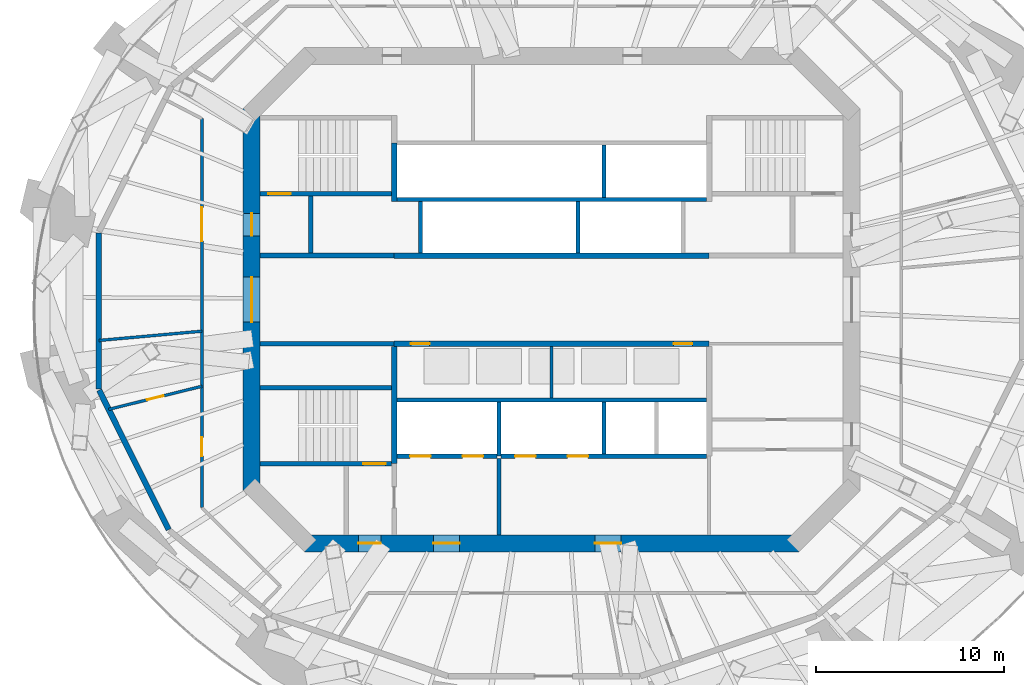
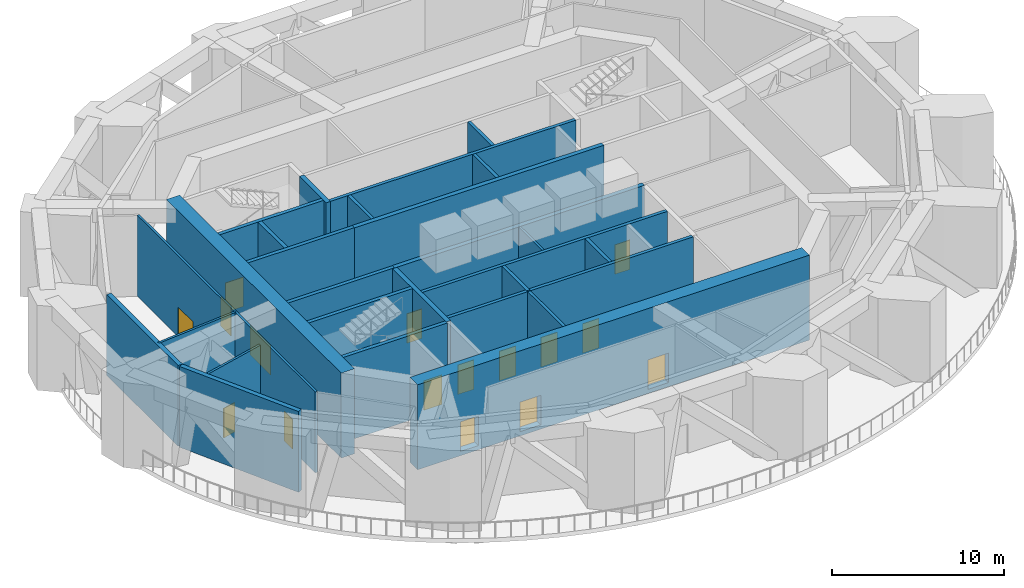
# One storey, part 5 of 11: 28 walls, 16 doors, 16 openings.
"""IFC4 building model written with IfcOpenShell, lengths in metres."""

from ifc_helpers import new_model, si_unit, direction, frame, frame_2d, origin, place, context, subcontext, project, spatial, rectangle, extrude, material, layer, layer_set, type_object, element, fill, save


model = new_model("IFC4")

# Units and contexts
model_context = context("Model", 3, precision=1e-05, world=origin(), true_north=direction((0.0, 1.0)))
body_context = subcontext(model_context, "Body", "Model", "MODEL_VIEW")
ifc_project = project(units=[si_unit("LENGTHUNIT", "METRE"), si_unit("AREAUNIT", "SQUARE_METRE"), si_unit("VOLUMEUNIT", "CUBIC_METRE"), si_unit("PLANEANGLEUNIT", "RADIAN"), si_unit("MASSUNIT", "GRAM", prefix="KILO")], contexts=[model_context])

# Site, building, storey
site_placement = place(None, origin())
site = spatial("IfcSite", under=ifc_project, at=site_placement, CompositionType="ELEMENT")
building_placement = place(site_placement, origin())
building = spatial("IfcBuilding", under=site, at=building_placement, Name="Marenthal Gate Tower", CompositionType="ELEMENT")
storey_placement = place(building_placement, frame((0.0, 0.0, 273.10009765625)))
storey = spatial("IfcBuildingStorey", under=building, at=storey_placement, Name="L61", CompositionType="ELEMENT", Elevation=273.10009765625)

# Wall, openings, doors
ifc_material_1 = material(Name="Concrete 60 MPa", Category="concrete")
ifc_layer_1 = layer(ifc_material_1, 0.89990234375)
ifc_layer_set_1 = layer_set([ifc_layer_1], Name="Core shear wall 900")
wall_type_1 = type_object("IfcWallType", Name="Core shear wall 900", PredefinedType="SHEAR", material=ifc_layer_set_1)
wall_1_placement = place(storey_placement, frame((-16.0, 10.186279296875, -0.300048828125), z_axis=(0.0, 0.0, 1.0), x_axis=(0.0, -1.0, 0.0)))
wall_1 = element("IfcWall", 1, at=wall_1_placement, inside=storey, type_object=wall_type_1, Name="Core wall 06", PredefinedType="SHEAR", context=body_context, shape_type="SweptSolid", body=[
    extrude(rectangle(XDim=20.37255859375, YDim=0.89990234375, at=frame_2d((10.186279296875, 0.0))), origin(), (0.0, 0.0, 1.0), 6.050048828125),
])
opening_1_placement = place(wall_1_placement, frame((8.986328125, 0.0, 0.300048828125)))
opening_1 = element("IfcOpeningElement", 2, at=opening_1_placement, cuts=wall_1, Name="Opening D003.01", PredefinedType="OPENING", context=body_context, shape_type="SweptSolid", body=[
    extrude(rectangle(XDim=2.39990234375, YDim=2.10009765625, at=frame_2d((1.199951171875, 1.050048828125))), frame((0.0, 0.4599609375, 0.0), z_axis=(0.0, -1.0, 0.0), x_axis=(1.0, 0.0, 0.0)), (0.0, 0.0, 1.0), 0.919921875),
])
opening_2_placement = place(wall_1_placement, frame((5.58642578125, 0.0, 0.300048828125)))
opening_2 = element("IfcOpeningElement", 3, at=opening_2_placement, cuts=wall_1, Name="Opening D001.04", PredefinedType="OPENING", context=body_context, shape_type="SweptSolid", body=[
    extrude(rectangle(XDim=1.199951171875, YDim=2.10009765625, at=frame_2d((0.60009765625, 1.050048828125))), frame((0.0, 0.4599609375, 0.0), z_axis=(0.0, -1.0, 0.0), x_axis=(1.0, 0.0, 0.0)), (0.0, 0.0, 1.0), 0.919921875),
])
ifc_material_2 = material(Name="Steel fire door", Category="steel")
door_type_1 = type_object("IfcDoorType", Name="Double fire door FD 45 2400 x 2100", OperationType="DOUBLE_DOOR_SINGLE_SWING", PredefinedType="DOOR", material=ifc_material_2)
door_1_placement = place(opening_1_placement, origin())
door_1 = element("IfcDoor", 4, at=door_1_placement, inside=storey, type_object=door_type_1, Name="Door D003.01", OperationType="DOUBLE_DOOR_SINGLE_SWING", OverallHeight=2.10009765625, OverallWidth=2.39990234375, PredefinedType="DOOR", context=body_context, shape_type="SweptSolid", body=[
    extrude(rectangle(XDim=2.39990234375, YDim=2.10009765625, at=frame_2d((1.199951171875, 1.050048828125))), frame((0.0, 0.02490234375, 0.0), z_axis=(0.0, -1.0, 0.0), x_axis=(1.0, 0.0, 0.0)), (0.0, 0.0, 1.0), 0.050048828125),
])
fill(opening_1, door_1)
ifc_material_3 = material(Name="Steel fire door", Category="steel")
door_type_2 = type_object("IfcDoorType", Name="Fire door FD 90 1200 x 2100", OperationType="NOTDEFINED", PredefinedType="DOOR", material=ifc_material_3)
door_2_placement = place(opening_2_placement, origin())
door_2 = element("IfcDoor", 5, at=door_2_placement, inside=storey, type_object=door_type_2, Name="Door D001.04", OperationType="SINGLE_SWING_RIGHT", OverallHeight=2.10009765625, OverallWidth=1.199951171875, PredefinedType="DOOR", context=body_context, shape_type="SweptSolid", body=[
    extrude(rectangle(XDim=1.199951171875, YDim=2.10009765625, at=frame_2d((0.60009765625, 1.050048828125))), frame((0.0, 0.02490234375, 0.0), z_axis=(0.0, -1.0, 0.0), x_axis=(1.0, 0.0, 0.0)), (0.0, 0.0, 1.0), 0.050048828125),
])
fill(opening_2, door_2)

wall_2_placement = place(storey_placement, frame((-13.186279296875, -13.0, -0.300048828125), z_axis=(0.0, 0.0, 1.0), x_axis=(1.0, 0.0, 0.0)))
wall_2 = element("IfcWall", 6, at=wall_2_placement, inside=storey, type_object=wall_type_1, Name="Core wall 08", PredefinedType="SHEAR", context=body_context, shape_type="SweptSolid", body=[
    extrude(rectangle(XDim=26.37255859375, YDim=0.89990234375, at=frame_2d((13.186279296875, 0.0))), origin(), (0.0, 0.0, 1.0), 6.050048828125),
])
opening_3_placement = place(wall_2_placement, frame((2.886474609375, 0.0, 0.300048828125)))
opening_3 = element("IfcOpeningElement", 7, at=opening_3_placement, cuts=wall_2, Name="Opening D001.06", PredefinedType="OPENING", context=body_context, shape_type="SweptSolid", body=[
    extrude(rectangle(XDim=1.199951171875, YDim=2.10009765625, at=frame_2d((0.60009765625, 1.050048828125))), frame((0.0, 0.4599609375, 0.0), z_axis=(0.0, -1.0, 0.0), x_axis=(1.0, 0.0, 0.0)), (0.0, 0.0, 1.0), 0.919921875),
])
opening_4_placement = place(wall_2_placement, frame((6.886474609375, 0.0, 0.300048828125)))
opening_4 = element("IfcOpeningElement", 8, at=opening_4_placement, cuts=wall_2, Name="Opening D004.01", PredefinedType="OPENING", context=body_context, shape_type="SweptSolid", body=[
    extrude(rectangle(XDim=1.39990234375, YDim=2.10009765625, at=frame_2d((0.699951171875, 1.050048828125))), frame((0.0, 0.4599609375, 0.0), z_axis=(0.0, -1.0, 0.0), x_axis=(1.0, 0.0, 0.0)), (0.0, 0.0, 1.0), 0.919921875),
])
opening_5_placement = place(wall_2_placement, frame((15.486328125, 0.0, 0.300048828125)))
opening_5 = element("IfcOpeningElement", 9, at=opening_5_placement, cuts=wall_2, Name="Opening D004.02", PredefinedType="OPENING", context=body_context, shape_type="SweptSolid", body=[
    extrude(rectangle(XDim=1.39990234375, YDim=2.10009765625, at=frame_2d((0.699951171875, 1.050048828125))), frame((0.0, 0.4599609375, 0.0), z_axis=(0.0, -1.0, 0.0), x_axis=(1.0, 0.0, 0.0)), (0.0, 0.0, 1.0), 0.919921875),
])
ifc_material_4 = material(Name="Steel fire door", Category="steel")
door_type_3 = type_object("IfcDoorType", Name="Fire door FD 45 1400 x 2100", OperationType="NOTDEFINED", PredefinedType="DOOR", material=ifc_material_4)
door_3_placement = place(opening_4_placement, origin())
door_3 = element("IfcDoor", 10, at=door_3_placement, inside=storey, type_object=door_type_3, Name="Door D004.01", OperationType="SINGLE_SWING_RIGHT", OverallHeight=2.10009765625, OverallWidth=1.39990234375, PredefinedType="DOOR", context=body_context, shape_type="SweptSolid", body=[
    extrude(rectangle(XDim=1.39990234375, YDim=2.10009765625, at=frame_2d((0.699951171875, 1.050048828125))), frame((0.0, 0.02490234375, 0.0), z_axis=(0.0, -1.0, 0.0), x_axis=(1.0, 0.0, 0.0)), (0.0, 0.0, 1.0), 0.050048828125),
])
fill(opening_4, door_3)
door_4_placement = place(opening_5_placement, origin())
door_4 = element("IfcDoor", 11, at=door_4_placement, inside=storey, type_object=door_type_3, Name="Door D004.02", OperationType="SINGLE_SWING_RIGHT", OverallHeight=2.10009765625, OverallWidth=1.39990234375, PredefinedType="DOOR", context=body_context, shape_type="SweptSolid", body=[
    extrude(rectangle(XDim=1.39990234375, YDim=2.10009765625, at=frame_2d((0.699951171875, 1.050048828125))), frame((0.0, 0.02490234375, 0.0), z_axis=(0.0, -1.0, 0.0), x_axis=(1.0, 0.0, 0.0)), (0.0, 0.0, 1.0), 0.050048828125),
])
fill(opening_5, door_4)
door_5_placement = place(opening_3_placement, origin())
door_5 = element("IfcDoor", 12, at=door_5_placement, inside=storey, type_object=door_type_2, Name="Door D001.06", OperationType="SINGLE_SWING_RIGHT", OverallHeight=2.10009765625, OverallWidth=1.199951171875, PredefinedType="DOOR", context=body_context, shape_type="SweptSolid", body=[
    extrude(rectangle(XDim=1.199951171875, YDim=2.10009765625, at=frame_2d((0.60009765625, 1.050048828125))), frame((0.0, 0.02490234375, 0.0), z_axis=(0.0, -1.0, 0.0), x_axis=(1.0, 0.0, 0.0)), (0.0, 0.0, 1.0), 0.050048828125),
])
fill(opening_3, door_5)

# Walls
ifc_material_5 = material(Name="Concrete 40 MPa", Category="concrete")
ifc_layer_2 = layer(ifc_material_5, 0.300048828125)
ifc_layer_set_2 = layer_set([ifc_layer_2], Name="External wall 300")
wall_type_2 = type_object("IfcWallType", Name="External wall 300", PredefinedType="STANDARD", material=ifc_layer_set_2)
wall_3_placement = place(storey_placement, frame((-24.147216796875, -4.762939453125, 0.0), z_axis=(0.0, 0.0, 1.0), x_axis=(0.0, 1.0, 0.0)))
element("IfcWall", 13, at=wall_3_placement, inside=storey, type_object=wall_type_2, Name="External wall 58", PredefinedType="STANDARD", context=body_context, shape_type="SweptSolid", body=[
    extrude(rectangle(XDim=8.325927734375, YDim=0.300048828125, at=frame_2d((4.1630859375, 0.0))), origin(), (0.0, 0.0, 1.0), 5.75),
])
wall_4_placement = place(storey_placement, frame((-20.42529296875, -12.265869140625, 0.0), z_axis=(0.0, 0.0, 1.0), x_axis=(-0.44606134028, 0.895002391453, 0.0)))
element("IfcWall", 14, at=wall_4_placement, inside=storey, type_object=wall_type_2, Name="External wall 60", PredefinedType="STANDARD", context=body_context, shape_type="SweptSolid", body=[
    extrude(rectangle(XDim=8.308349609375, YDim=0.300048828125, at=frame_2d((4.154296875, 0.0))), origin(), (0.0, 0.0, 1.0), 5.75),
])
ifc_material_6 = material(Name="Gypsum board on steel studs", Category="steel")
ifc_layer_3 = layer(ifc_material_6, 0.199951171875)
ifc_layer_set_3 = layer_set([ifc_layer_3], Name="Fire lobby wall 200")
wall_type_3 = type_object("IfcWallType", Name="Fire lobby wall 200", PredefinedType="PARTITIONING", material=ifc_layer_set_3)
wall_5_placement = place(storey_placement, frame((-2.800048828125, -12.550048828125, 0.0), z_axis=(0.0, 0.0, 1.0), x_axis=(0.0, 1.0, 0.0)))
element("IfcWall", 15, at=wall_5_placement, inside=storey, type_object=wall_type_3, Name="Fire wall 36", PredefinedType="PARTITIONING", context=body_context, shape_type="SweptSolid", body=[
    extrude(rectangle(XDim=4.090087890625, YDim=0.199951171875, at=frame_2d((2.044921875, 0.0))), origin(), (0.0, 0.0, 1.0), 5.75),
])

# Wall, openings, doors
ifc_material_7 = material(Name="Concrete 50 MPa", Category="concrete")
ifc_layer_4 = layer(ifc_material_7, 0.300048828125)
ifc_layer_set_4 = layer_set([ifc_layer_4], Name="Hoistway shear wall 300")
wall_type_4 = type_object("IfcWallType", Name="Hoistway shear wall 300", PredefinedType="SHEAR", material=ifc_layer_set_4)
wall_6_placement = place(storey_placement, frame((-8.39990234375, -2.35009765625, -0.300048828125), z_axis=(0.0, 0.0, 1.0), x_axis=(1.0, 0.0, 0.0)))
wall_6 = element("IfcWall", 16, at=wall_6_placement, inside=storey, type_object=wall_type_4, Name="Hoistway wall 17", PredefinedType="SHEAR", context=body_context, shape_type="SweptSolid", body=[
    extrude(rectangle(XDim=16.7998046875, YDim=0.300048828125, at=frame_2d((8.39990234375, 0.0))), origin(), (0.0, 0.0, 1.0), 6.050048828125),
])
opening_6_placement = place(wall_6_placement, frame((0.89990234375, 0.0, 0.300048828125)))
opening_6 = element("IfcOpeningElement", 17, at=opening_6_placement, cuts=wall_6, Name="Opening D005.01", PredefinedType="OPENING", context=body_context, shape_type="SweptSolid", body=[
    extrude(rectangle(XDim=1.0, YDim=2.10009765625, at=frame_2d((0.5, 1.050048828125))), frame((0.0, 0.16015625, 0.0), z_axis=(0.0, -1.0, 0.0), x_axis=(1.0, 0.0, 0.0)), (0.0, 0.0, 1.0), 0.320068359375),
])
opening_7_placement = place(wall_6_placement, frame((14.89990234375, 0.0, 0.300048828125)))
opening_7 = element("IfcOpeningElement", 18, at=opening_7_placement, cuts=wall_6, Name="Opening D005.02", PredefinedType="OPENING", context=body_context, shape_type="SweptSolid", body=[
    extrude(rectangle(XDim=1.0, YDim=2.10009765625, at=frame_2d((0.5, 1.050048828125))), frame((0.0, 0.16015625, 0.0), z_axis=(0.0, -1.0, 0.0), x_axis=(1.0, 0.0, 0.0)), (0.0, 0.0, 1.0), 0.320068359375),
])
ifc_material_8 = material(Name="Steel fire door", Category="steel")
door_type_4 = type_object("IfcDoorType", Name="Fire door FD 45 1000 x 2100", OperationType="NOTDEFINED", PredefinedType="DOOR", material=ifc_material_8)
door_6_placement = place(opening_6_placement, frame((1.0, 0.0, 0.0), z_axis=(0.0, 0.0, 1.0), x_axis=(-1.0, 0.0, 0.0)))
door_6 = element("IfcDoor", 19, at=door_6_placement, inside=storey, type_object=door_type_4, Name="Door D005.01", OperationType="SINGLE_SWING_LEFT", OverallHeight=2.10009765625, OverallWidth=1.0, PredefinedType="DOOR", context=body_context, shape_type="SweptSolid", body=[
    extrude(rectangle(XDim=1.0, YDim=2.10009765625, at=frame_2d((0.5, 1.050048828125))), frame((0.0, 0.02490234375, 0.0), z_axis=(0.0, -1.0, 0.0), x_axis=(1.0, 0.0, 0.0)), (0.0, 0.0, 1.0), 0.050048828125),
])
fill(opening_6, door_6)
door_7_placement = place(opening_7_placement, frame((1.0, 0.0, 0.0), z_axis=(0.0, 0.0, 1.0), x_axis=(-1.0, 0.0, 0.0)))
door_7 = element("IfcDoor", 20, at=door_7_placement, inside=storey, type_object=door_type_4, Name="Door D005.02", OperationType="SINGLE_SWING_LEFT", OverallHeight=2.10009765625, OverallWidth=1.0, PredefinedType="DOOR", context=body_context, shape_type="SweptSolid", body=[
    extrude(rectangle(XDim=1.0, YDim=2.10009765625, at=frame_2d((0.5, 1.050048828125))), frame((0.0, 0.02490234375, 0.0), z_axis=(0.0, -1.0, 0.0), x_axis=(1.0, 0.0, 0.0)), (0.0, 0.0, 1.0), 0.050048828125),
])
fill(opening_7, door_7)

# Walls
wall_7_placement = place(storey_placement, frame((-8.39990234375, 2.35009765625, -0.300048828125), z_axis=(0.0, 0.0, 1.0), x_axis=(1.0, 0.0, 0.0)))
element("IfcWall", 21, at=wall_7_placement, inside=storey, type_object=wall_type_4, Name="Hoistway wall 20", PredefinedType="SHEAR", context=body_context, shape_type="SweptSolid", body=[
    extrude(rectangle(XDim=16.7998046875, YDim=0.300048828125, at=frame_2d((8.39990234375, 0.0))), origin(), (0.0, 0.0, 1.0), 6.050048828125),
])
wall_8_placement = place(storey_placement, frame((-8.39990234375, -8.75, -0.300048828125), z_axis=(0.0, 0.0, 1.0), x_axis=(0.0, 1.0, 0.0)))
element("IfcWall", 22, at=wall_8_placement, inside=storey, type_object=wall_type_4, Name="Hoistway wall 31", PredefinedType="SHEAR", context=body_context, shape_type="SweptSolid", body=[
    extrude(rectangle(XDim=6.25, YDim=0.300048828125, at=frame_2d((3.125, 0.0))), origin(), (0.0, 0.0, 1.0), 6.050048828125),
])
wall_9_placement = place(storey_placement, frame((-8.39990234375, 5.239990234375, -0.300048828125), z_axis=(0.0, 0.0, 1.0), x_axis=(0.0, 1.0, 0.0)))
element("IfcWall", 23, at=wall_9_placement, inside=storey, type_object=wall_type_4, Name="Hoistway wall 32", PredefinedType="SHEAR", context=body_context, shape_type="SweptSolid", body=[
    extrude(rectangle(XDim=3.110107421875, YDim=0.300048828125, at=frame_2d((1.55517578125, 0.0))), origin(), (0.0, 0.0, 1.0), 6.050048828125),
])

# Wall, openings, doors
ifc_material_9 = material(Name="Concrete 40 MPa", Category="concrete")
ifc_layer_5 = layer(ifc_material_9, 0.219970703125)
ifc_layer_set_5 = layer_set([ifc_layer_5], Name="Hoistway wall 220")
wall_type_5 = type_object("IfcWallType", Name="Hoistway wall 220", PredefinedType="STANDARD", material=ifc_layer_set_5)
wall_10_placement = place(storey_placement, frame((-8.25, -8.35009765625, 0.0), z_axis=(0.0, 0.0, 1.0), x_axis=(1.0, 0.0, 0.0)))
wall_10 = element("IfcWall", 24, at=wall_10_placement, inside=storey, type_object=wall_type_5, Name="Hoistway wall 10", PredefinedType="STANDARD", context=body_context, shape_type="SweptSolid", body=[
    extrude(rectangle(XDim=5.340087890625, YDim=0.219970703125, at=frame_2d((2.669921875, 0.0))), origin(), (0.0, 0.0, 1.0), 5.75),
])
opening_8_placement = place(wall_10_placement, frame((0.699951171875, 0.0, 0.0)))
opening_8 = element("IfcOpeningElement", 25, at=opening_8_placement, cuts=wall_10, Name="Opening LD-LF1", PredefinedType="OPENING", context=body_context, shape_type="SweptSolid", body=[
    extrude(rectangle(XDim=1.10009765625, YDim=2.10009765625, at=frame_2d((0.550048828125, 1.050048828125))), frame((0.0, 0.1201171875, 0.0), z_axis=(0.0, -1.0, 0.0), x_axis=(1.0, 0.0, 0.0)), (0.0, 0.0, 1.0), 0.239990234375),
])
opening_9_placement = place(wall_10_placement, frame((3.5, 0.0, 0.0)))
opening_9 = element("IfcOpeningElement", 26, at=opening_9_placement, cuts=wall_10, Name="Opening LD-LF2", PredefinedType="OPENING", context=body_context, shape_type="SweptSolid", body=[
    extrude(rectangle(XDim=1.10009765625, YDim=2.10009765625, at=frame_2d((0.550048828125, 1.050048828125))), frame((0.0, 0.1201171875, 0.0), z_axis=(0.0, -1.0, 0.0), x_axis=(1.0, 0.0, 0.0)), (0.0, 0.0, 1.0), 0.239990234375),
])
ifc_material_10 = material(Name="Stainless steel sliding door", Category="steel")
door_type_5 = type_object("IfcDoorType", Name="Lift landing door FD 90 1100 x 2100", OperationType="DOUBLE_DOOR_SLIDING", PredefinedType="DOOR", material=ifc_material_10)
door_8_placement = place(opening_8_placement, origin())
door_8 = element("IfcDoor", 27, at=door_8_placement, inside=storey, type_object=door_type_5, Name="Lift landing door LF1", OperationType="DOUBLE_DOOR_SLIDING", OverallHeight=2.10009765625, OverallWidth=1.10009765625, PredefinedType="DOOR", context=body_context, shape_type="SweptSolid", body=[
    extrude(rectangle(XDim=1.10009765625, YDim=2.10009765625, at=frame_2d((0.550048828125, 1.050048828125))), frame((0.0, 0.02490234375, 0.0), z_axis=(0.0, -1.0, 0.0), x_axis=(1.0, 0.0, 0.0)), (0.0, 0.0, 1.0), 0.050048828125),
])
fill(opening_8, door_8)
door_9_placement = place(opening_9_placement, origin())
door_9 = element("IfcDoor", 28, at=door_9_placement, inside=storey, type_object=door_type_5, Name="Lift landing door LF2", OperationType="DOUBLE_DOOR_SLIDING", OverallHeight=2.10009765625, OverallWidth=1.10009765625, PredefinedType="DOOR", context=body_context, shape_type="SweptSolid", body=[
    extrude(rectangle(XDim=1.10009765625, YDim=2.10009765625, at=frame_2d((0.550048828125, 1.050048828125))), frame((0.0, 0.02490234375, 0.0), z_axis=(0.0, -1.0, 0.0), x_axis=(1.0, 0.0, 0.0)), (0.0, 0.0, 1.0), 0.050048828125),
])
fill(opening_9, door_9)

wall_11_placement = place(storey_placement, frame((-2.68994140625, -8.35009765625, 0.0), z_axis=(0.0, 0.0, 1.0), x_axis=(1.0, 0.0, 0.0)))
wall_11 = element("IfcWall", 29, at=wall_11_placement, inside=storey, type_object=wall_type_5, Name="Hoistway wall 11", PredefinedType="STANDARD", context=body_context, shape_type="SweptSolid", body=[
    extrude(rectangle(XDim=10.93994140625, YDim=0.219970703125, at=frame_2d((5.469970703125, 0.0))), origin(), (0.0, 0.0, 1.0), 5.75),
])
opening_10_placement = place(wall_11_placement, frame((0.739990234375, 0.0, 0.0)))
opening_10 = element("IfcOpeningElement", 30, at=opening_10_placement, cuts=wall_11, Name="Opening LD-SV1", PredefinedType="OPENING", context=body_context, shape_type="SweptSolid", body=[
    extrude(rectangle(XDim=1.10009765625, YDim=2.10009765625, at=frame_2d((0.550048828125, 1.050048828125))), frame((0.0, 0.1201171875, 0.0), z_axis=(0.0, -1.0, 0.0), x_axis=(1.0, 0.0, 0.0)), (0.0, 0.0, 1.0), 0.239990234375),
])
opening_11_placement = place(wall_11_placement, frame((3.5400390625, 0.0, 0.0)))
opening_11 = element("IfcOpeningElement", 31, at=opening_11_placement, cuts=wall_11, Name="Opening LD-SV2", PredefinedType="OPENING", context=body_context, shape_type="SweptSolid", body=[
    extrude(rectangle(XDim=1.10009765625, YDim=2.10009765625, at=frame_2d((0.550048828125, 1.050048828125))), frame((0.0, 0.1201171875, 0.0), z_axis=(0.0, -1.0, 0.0), x_axis=(1.0, 0.0, 0.0)), (0.0, 0.0, 1.0), 0.239990234375),
])
door_10_placement = place(opening_10_placement, origin())
door_10 = element("IfcDoor", 32, at=door_10_placement, inside=storey, type_object=door_type_5, Name="Lift landing door SV1", OperationType="DOUBLE_DOOR_SLIDING", OverallHeight=2.10009765625, OverallWidth=1.10009765625, PredefinedType="DOOR", context=body_context, shape_type="SweptSolid", body=[
    extrude(rectangle(XDim=1.10009765625, YDim=2.10009765625, at=frame_2d((0.550048828125, 1.050048828125))), frame((0.0, 0.02490234375, 0.0), z_axis=(0.0, -1.0, 0.0), x_axis=(1.0, 0.0, 0.0)), (0.0, 0.0, 1.0), 0.050048828125),
])
fill(opening_10, door_10)
door_11_placement = place(opening_11_placement, origin())
door_11 = element("IfcDoor", 33, at=door_11_placement, inside=storey, type_object=door_type_5, Name="Lift landing door SV2", OperationType="DOUBLE_DOOR_SLIDING", OverallHeight=2.10009765625, OverallWidth=1.10009765625, PredefinedType="DOOR", context=body_context, shape_type="SweptSolid", body=[
    extrude(rectangle(XDim=1.10009765625, YDim=2.10009765625, at=frame_2d((0.550048828125, 1.050048828125))), frame((0.0, 0.02490234375, 0.0), z_axis=(0.0, -1.0, 0.0), x_axis=(1.0, 0.0, 0.0)), (0.0, 0.0, 1.0), 0.050048828125),
])
fill(opening_11, door_11)

# Walls
for number, where, z_axis, x_axis, name in (
    (34, (-8.25, -5.35009765625, 0.0), (0.0, 0.0, 1.0), (1.0, 0.0, 0.0), "Hoistway wall 14"),
    (35, (-8.25, 5.35009765625, 0.0), (0.0, 0.0, 1.0), (1.0, 0.0, 0.0), "Hoistway wall 22"),
):
    element("IfcWall", number, at=place(storey_placement, frame(where, z_axis=z_axis, x_axis=x_axis)), inside=storey, type_object=wall_type_5, Name=name, PredefinedType="STANDARD", context=body_context, shape_type="SweptSolid", body=[
        extrude(rectangle(XDim=16.5, YDim=0.219970703125, at=frame_2d((8.25, 0.0))), origin(), (0.0, 0.0, 1.0), 5.75),
    ])
wall_12_placement = place(storey_placement, frame((-7.0, 2.5, 0.0), z_axis=(0.0, 0.0, 1.0), x_axis=(0.0, 1.0, 0.0)))
element("IfcWall", 36, at=wall_12_placement, inside=storey, type_object=wall_type_5, Name="Hoistway wall 34", PredefinedType="STANDARD", context=body_context, shape_type="SweptSolid", body=[
    extrude(rectangle(XDim=2.739990234375, YDim=0.219970703125, at=frame_2d((1.3701171875, 0.0))), origin(), (0.0, 0.0, 1.0), 5.75),
])
wall_13_placement = place(storey_placement, frame((-2.800048828125, -8.35009765625, 0.0), z_axis=(0.0, 0.0, 1.0), x_axis=(0.0, 1.0, 0.0)))
element("IfcWall", 37, at=wall_13_placement, inside=storey, type_object=wall_type_5, Name="Hoistway wall 37", PredefinedType="STANDARD", context=body_context, shape_type="SweptSolid", body=[
    extrude(rectangle(XDim=2.89013671875, YDim=0.219970703125, at=frame_2d((1.445068359375, 0.0))), origin(), (0.0, 0.0, 1.0), 5.75),
])
wall_14_placement = place(storey_placement, frame((1.39990234375, 2.5, 0.0), z_axis=(0.0, 0.0, 1.0), x_axis=(0.0, 1.0, 0.0)))
element("IfcWall", 38, at=wall_14_placement, inside=storey, type_object=wall_type_5, Name="Hoistway wall 39", PredefinedType="STANDARD", context=body_context, shape_type="SweptSolid", body=[
    extrude(rectangle(XDim=2.739990234375, YDim=0.219970703125, at=frame_2d((1.3701171875, 0.0))), origin(), (0.0, 0.0, 1.0), 5.75),
])
for number, where, z_axis, x_axis, name in (
    (39, (2.800048828125, -8.239990234375, 0.0), (0.0, 0.0, 1.0), (0.0, 1.0, 0.0), "Hoistway wall 40"),
    (40, (2.800048828125, 5.4599609375, 0.0), (0.0, 0.0, 1.0), (0.0, 1.0, 0.0), "Hoistway wall 41"),
):
    element("IfcWall", number, at=place(storey_placement, frame(where, z_axis=z_axis, x_axis=x_axis)), inside=storey, type_object=wall_type_5, Name=name, PredefinedType="STANDARD", context=body_context, shape_type="SweptSolid", body=[
        extrude(rectangle(XDim=2.780029296875, YDim=0.219970703125, at=frame_2d((1.39013671875, 0.0))), origin(), (0.0, 0.0, 1.0), 5.75),
    ])
ifc_material_11 = material(Name="Gypsum board on steel studs", Category="steel")
ifc_layer_6 = layer(ifc_material_11, 0.14990234375)
ifc_layer_set_6 = layer_set([ifc_layer_6], Name="Partition 150")
wall_type_6 = type_object("IfcWallType", Name="Partition 150", PredefinedType="PARTITIONING", material=ifc_layer_set_6)
wall_15_placement = place(storey_placement, frame((0.0, -5.239990234375, 0.0), z_axis=(0.0, 0.0, 1.0), x_axis=(0.0, 1.0, 0.0)))
element("IfcWall", 41, at=wall_15_placement, inside=storey, type_object=wall_type_6, Name="Partition wall 38", PredefinedType="PARTITIONING", context=body_context, shape_type="SweptSolid", body=[
    extrude(rectangle(XDim=2.739990234375, YDim=0.14990234375, at=frame_2d((1.3701171875, 0.0))), origin(), (0.0, 0.0, 1.0), 5.75),
])
wall_16_placement = place(storey_placement, frame((-24.137451171875, -2.177490234375, 0.0), z_axis=(0.0, 0.0, 1.0), x_axis=(0.995957513346, 0.089825562115, 0.0)))
element("IfcWall", 42, at=wall_16_placement, inside=storey, type_object=wall_type_6, Name="Partition wall 73", PredefinedType="PARTITIONING", context=body_context, shape_type="SweptSolid", body=[
    extrude(rectangle(XDim=5.517333984375, YDim=0.14990234375, at=frame_2d((2.7587890625, 0.0))), origin(), (0.0, 0.0, 1.0), 5.75),
])

# Wall, opening, door
wall_17_placement = place(storey_placement, frame((-23.62841796875, -5.85400390625, 0.0), z_axis=(0.0, 0.0, 1.0), x_axis=(0.970654908587, 0.240476710797, 0.0)))
wall_17 = element("IfcWall", 43, at=wall_17_placement, inside=storey, type_object=wall_type_6, Name="Partition wall 75", PredefinedType="PARTITIONING", context=body_context, shape_type="SweptSolid", body=[
    extrude(rectangle(XDim=5.135009765625, YDim=0.14990234375, at=frame_2d((2.5673828125, 0.0))), origin(), (0.0, 0.0, 1.0), 5.2138671875),
])
opening_12_placement = place(wall_17_placement, frame((2.11767578125, 0.0, 0.0)))
opening_12 = element("IfcOpeningElement", 44, at=opening_12_placement, cuts=wall_17, Name="Opening D010.04", PredefinedType="OPENING", context=body_context, shape_type="SweptSolid", body=[
    extrude(rectangle(XDim=0.89990234375, YDim=2.10009765625, at=frame_2d((0.449951171875, 1.050048828125))), frame((0.0, 0.0849609375, 0.0), z_axis=(0.0, -1.0, 0.0), x_axis=(1.0, 0.0, 0.0)), (0.0, 0.0, 1.0), 0.169921875),
])
ifc_material_12 = material(Name="Steel fire door", Category="steel")
door_type_6 = type_object("IfcDoorType", Name="Fire door FD 45 900 x 2100", OperationType="NOTDEFINED", PredefinedType="DOOR", material=ifc_material_12)
door_12_placement = place(opening_12_placement, origin())
door_12 = element("IfcDoor", 45, at=door_12_placement, inside=storey, type_object=door_type_6, Name="Door D010.04", OperationType="SINGLE_SWING_RIGHT", OverallHeight=2.10009765625, OverallWidth=0.89990234375, PredefinedType="DOOR", context=body_context, shape_type="SweptSolid", body=[
    extrude(rectangle(XDim=0.89990234375, YDim=2.10009765625, at=frame_2d((0.449951171875, 1.050048828125))), frame((0.0, 0.02490234375, 0.0), z_axis=(0.0, -1.0, 0.0), x_axis=(1.0, 0.0, 0.0)), (0.0, 0.0, 1.0), 0.050048828125),
])
fill(opening_12, door_12)

# Wall, openings, doors
wall_18_placement = place(storey_placement, frame((-18.64990234375, -11.09765625, 0.0), z_axis=(0.0, 0.0, 1.0), x_axis=(0.0, 1.0, 0.0)))
wall_18 = element("IfcWall", 46, at=wall_18_placement, inside=storey, type_object=wall_type_6, Name="Partition wall 84", PredefinedType="PARTITIONING", context=body_context, shape_type="SweptSolid", body=[
    extrude(rectangle(XDim=20.747802734375, YDim=0.14990234375, at=frame_2d((10.3740234375, 0.0))), origin(), (0.0, 0.0, 1.0), 5.75),
])
opening_13_placement = place(wall_18_placement, frame((14.223876953125, 0.0, 0.0)))
opening_13 = element("IfcOpeningElement", 47, at=opening_13_placement, cuts=wall_18, Name="Opening D007.02", PredefinedType="OPENING", context=body_context, shape_type="SweptSolid", body=[
    extrude(rectangle(XDim=1.800048828125, YDim=2.10009765625, at=frame_2d((0.89990234375, 1.050048828125))), frame((0.0, 0.0849609375, 0.0), z_axis=(0.0, -1.0, 0.0), x_axis=(1.0, 0.0, 0.0)), (0.0, 0.0, 1.0), 0.169921875),
])
opening_14_placement = place(wall_18_placement, frame((2.751220703125, 0.0, 0.0)))
opening_14 = element("IfcOpeningElement", 48, at=opening_14_placement, cuts=wall_18, Name="Opening D005.09", PredefinedType="OPENING", context=body_context, shape_type="SweptSolid", body=[
    extrude(rectangle(XDim=1.0, YDim=2.10009765625, at=frame_2d((0.5, 1.050048828125))), frame((0.0, 0.0849609375, 0.0), z_axis=(0.0, -1.0, 0.0), x_axis=(1.0, 0.0, 0.0)), (0.0, 0.0, 1.0), 0.169921875),
])
ifc_material_13 = material(Name="Steel fire door", Category="steel")
door_type_7 = type_object("IfcDoorType", Name="Double fire door FD 45 1800 x 2100", OperationType="DOUBLE_DOOR_SINGLE_SWING", PredefinedType="DOOR", material=ifc_material_13)
door_13_placement = place(opening_13_placement, origin())
door_13 = element("IfcDoor", 49, at=door_13_placement, inside=storey, type_object=door_type_7, Name="Door D007.02", OperationType="DOUBLE_DOOR_SINGLE_SWING", OverallHeight=2.10009765625, OverallWidth=1.800048828125, PredefinedType="DOOR", context=body_context, shape_type="SweptSolid", body=[
    extrude(rectangle(XDim=1.800048828125, YDim=2.10009765625, at=frame_2d((0.89990234375, 1.050048828125))), frame((0.0, 0.02490234375, 0.0), z_axis=(0.0, -1.0, 0.0), x_axis=(1.0, 0.0, 0.0)), (0.0, 0.0, 1.0), 0.050048828125),
])
fill(opening_13, door_13)
door_14_placement = place(opening_14_placement, origin())
door_14 = element("IfcDoor", 50, at=door_14_placement, inside=storey, type_object=door_type_4, Name="Door D005.09", OperationType="SINGLE_SWING_RIGHT", OverallHeight=2.10009765625, OverallWidth=1.0, PredefinedType="DOOR", context=body_context, shape_type="SweptSolid", body=[
    extrude(rectangle(XDim=1.0, YDim=2.10009765625, at=frame_2d((0.5, 1.050048828125))), frame((0.0, 0.02490234375, 0.0), z_axis=(0.0, -1.0, 0.0), x_axis=(1.0, 0.0, 0.0)), (0.0, 0.0, 1.0), 0.050048828125),
])
fill(opening_14, door_14)

# Walls
ifc_material_14 = material(Name="Concrete 40 MPa", Category="concrete")
ifc_layer_7 = layer(ifc_material_14, 0.25)
ifc_layer_set_7 = layer_set([ifc_layer_7], Name="Stair enclosure wall 250")
wall_type_7 = type_object("IfcWallType", Name="Stair enclosure wall 250", PredefinedType="STANDARD", material=ifc_layer_set_7)
for number, where, z_axis, x_axis, name in (
    (51, (-15.550048828125, -2.35009765625, 0.0), (0.0, 0.0, 1.0), (1.0, 0.0, 0.0), "Stair wall 16"),
    (52, (-15.550048828125, 2.35009765625, 0.0), (0.0, 0.0, 1.0), (1.0, 0.0, 0.0), "Stair wall 19"),
):
    element("IfcWall", number, at=place(storey_placement, frame(where, z_axis=z_axis, x_axis=x_axis)), inside=storey, type_object=wall_type_7, Name=name, PredefinedType="STANDARD", context=body_context, shape_type="SweptSolid", body=[
        extrude(rectangle(XDim=7.150146484375, YDim=0.25, at=frame_2d((3.5751953125, 0.0))), origin(), (0.0, 0.0, 1.0), 5.75),
    ])
wall_19_placement = place(storey_placement, frame((-12.85009765625, 2.47509765625, 0.0), z_axis=(0.0, 0.0, 1.0), x_axis=(0.0, 1.0, 0.0)))
element("IfcWall", 53, at=wall_19_placement, inside=storey, type_object=wall_type_7, Name="Stair wall 28", PredefinedType="STANDARD", context=body_context, shape_type="SweptSolid", body=[
    extrude(rectangle(XDim=3.0498046875, YDim=0.25, at=frame_2d((1.52490234375, 0.0))), origin(), (0.0, 0.0, 1.0), 5.75),
])

# Wall, opening, door
ifc_material_15 = material(Name="Concrete 50 MPa", Category="concrete")
ifc_layer_8 = layer(ifc_material_15, 0.25)
ifc_layer_set_8 = layer_set([ifc_layer_8], Name="Stair shear wall 250")
wall_type_8 = type_object("IfcWallType", Name="Stair shear wall 250", PredefinedType="SHEAR", material=ifc_layer_set_8)
wall_20_placement = place(storey_placement, frame((-15.550048828125, -8.75, -0.300048828125), z_axis=(0.0, 0.0, 1.0), x_axis=(1.0, 0.0, 0.0)))
wall_20 = element("IfcWall", 54, at=wall_20_placement, inside=storey, type_object=wall_type_8, Name="Stair wall 09", PredefinedType="SHEAR", context=body_context, shape_type="SweptSolid", body=[
    extrude(rectangle(XDim=7.0, YDim=0.25, at=frame_2d((3.5, 0.0))), origin(), (0.0, 0.0, 1.0), 6.050048828125),
])
opening_15_placement = place(wall_20_placement, frame((5.5, 0.0, 0.300048828125)))
opening_15 = element("IfcOpeningElement", 55, at=opening_15_placement, cuts=wall_20, Name="Opening D001.03", PredefinedType="OPENING", context=body_context, shape_type="SweptSolid", body=[
    extrude(rectangle(XDim=1.199951171875, YDim=2.10009765625, at=frame_2d((0.60009765625, 1.050048828125))), frame((0.0, 0.135009765625, 0.0), z_axis=(0.0, -1.0, 0.0), x_axis=(1.0, 0.0, 0.0)), (0.0, 0.0, 1.0), 0.27001953125),
])
door_15_placement = place(opening_15_placement, origin())
door_15 = element("IfcDoor", 56, at=door_15_placement, inside=storey, type_object=door_type_2, Name="Door D001.03", OperationType="SINGLE_SWING_RIGHT", OverallHeight=2.10009765625, OverallWidth=1.199951171875, PredefinedType="DOOR", context=body_context, shape_type="SweptSolid", body=[
    extrude(rectangle(XDim=1.199951171875, YDim=2.10009765625, at=frame_2d((0.60009765625, 1.050048828125))), frame((0.0, 0.02490234375, 0.0), z_axis=(0.0, -1.0, 0.0), x_axis=(1.0, 0.0, 0.0)), (0.0, 0.0, 1.0), 0.050048828125),
])
fill(opening_15, door_15)

# Wall
wall_21_placement = place(storey_placement, frame((-15.550048828125, -4.699951171875, -0.300048828125), z_axis=(0.0, 0.0, 1.0), x_axis=(1.0, 0.0, 0.0)))
element("IfcWall", 57, at=wall_21_placement, inside=storey, type_object=wall_type_8, Name="Stair wall 15", PredefinedType="SHEAR", context=body_context, shape_type="SweptSolid", body=[
    extrude(rectangle(XDim=7.0, YDim=0.25, at=frame_2d((3.5, 0.0))), origin(), (0.0, 0.0, 1.0), 6.050048828125),
])

# Wall, opening, door
wall_22_placement = place(storey_placement, frame((-15.550048828125, 5.64990234375, -0.300048828125), z_axis=(0.0, 0.0, 1.0), x_axis=(1.0, 0.0, 0.0)))
wall_22 = element("IfcWall", 58, at=wall_22_placement, inside=storey, type_object=wall_type_8, Name="Stair wall 23", PredefinedType="SHEAR", context=body_context, shape_type="SweptSolid", body=[
    extrude(rectangle(XDim=7.0, YDim=0.25, at=frame_2d((3.5, 0.0))), origin(), (0.0, 0.0, 1.0), 6.050048828125),
])
opening_16_placement = place(wall_22_placement, frame((0.449951171875, 0.0, 0.300048828125)))
opening_16 = element("IfcOpeningElement", 59, at=opening_16_placement, cuts=wall_22, Name="Opening D001.01", PredefinedType="OPENING", context=body_context, shape_type="SweptSolid", body=[
    extrude(rectangle(XDim=1.199951171875, YDim=2.10009765625, at=frame_2d((0.60009765625, 1.050048828125))), frame((0.0, 0.135009765625, 0.0), z_axis=(0.0, -1.0, 0.0), x_axis=(1.0, 0.0, 0.0)), (0.0, 0.0, 1.0), 0.27001953125),
])
door_16_placement = place(opening_16_placement, origin())
door_16 = element("IfcDoor", 60, at=door_16_placement, inside=storey, type_object=door_type_2, Name="Door D001.01", OperationType="SINGLE_SWING_RIGHT", OverallHeight=2.10009765625, OverallWidth=1.199951171875, PredefinedType="DOOR", context=body_context, shape_type="SweptSolid", body=[
    extrude(rectangle(XDim=1.199951171875, YDim=2.10009765625, at=frame_2d((0.60009765625, 1.050048828125))), frame((0.0, 0.02490234375, 0.0), z_axis=(0.0, -1.0, 0.0), x_axis=(1.0, 0.0, 0.0)), (0.0, 0.0, 1.0), 0.050048828125),
])
fill(opening_16, door_16)

save(model, "model.ifc")
